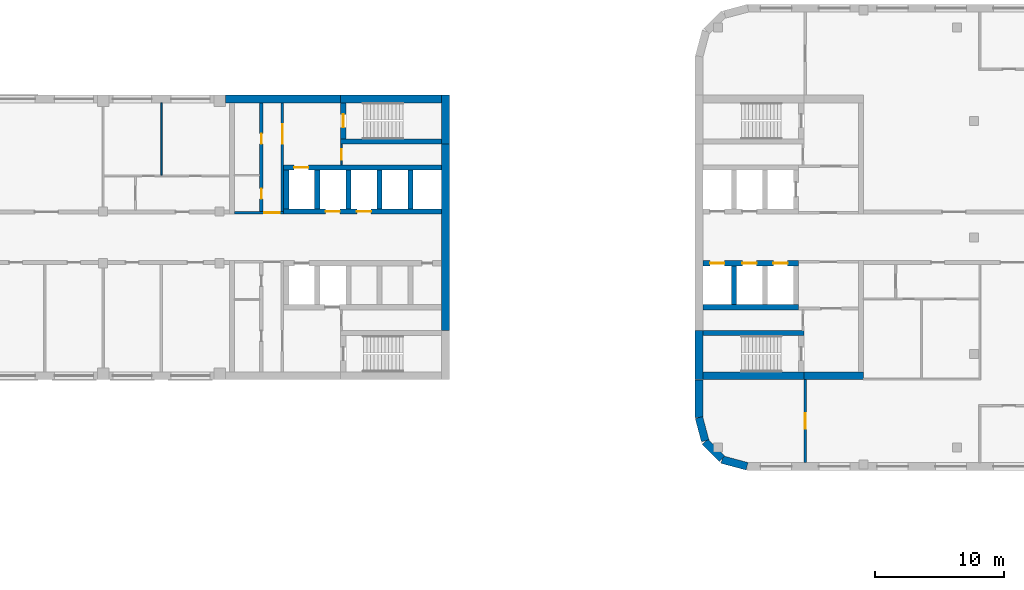
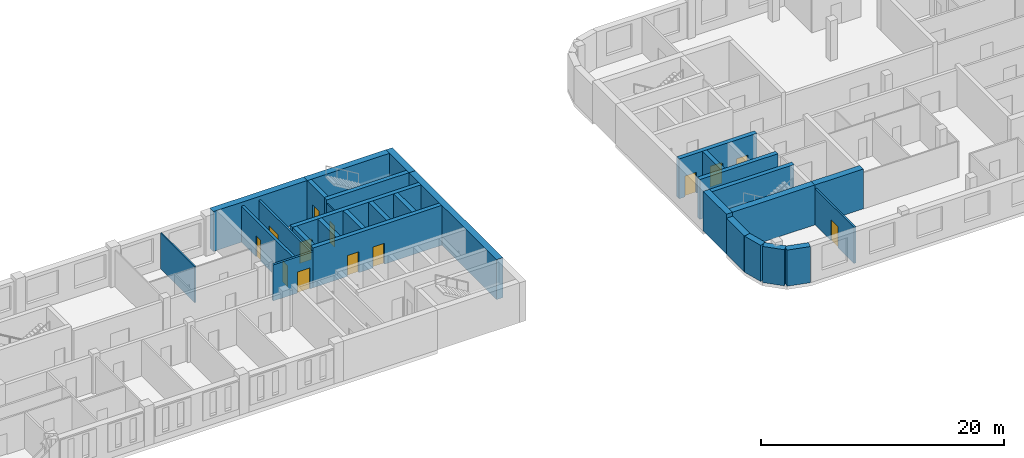
# One storey, part 6 of 12: 30 walls, 13 doors, 13 openings.
"""IFC4 building model written with IfcOpenShell, lengths in metres."""

import ifcopenshell
import ifcopenshell.guid

model = None  # the IFC model being written
_history = None  # IfcOwnerHistory: only IFC2X3 demands one
_inside = {}  # id of a spatial element -> (the spatial element, [elements in it])
_under = {}  # id of a project, library or spatial element -> (it, [spatial elements below it])
_declared = {}  # id of a project -> (the project, [libraries it declares])
_typed = {}  # id of a type object -> (the type object, [elements of that type])
_made_of = {}  # id of a material, layer set ... -> (it, [elements and type objects made of it])


def new_model(schema):
    """Start an empty IFC model of exactly this schema.

    Asked for "IFC4X3", IfcOpenShell would pick the latest addendum, in which some entities
    have other attributes; the version numbers below select the first issue.
    IFC2X3 requires an IfcOwnerHistory on every rooted entity: one is made here for all.
    """
    global model, _history
    if schema == "IFC4X3":
        model = ifcopenshell.file(schema_version=(4, 3, 0, 0))
    else:
        model = ifcopenshell.file(schema=schema)
    _inside.clear()
    _under.clear()
    _declared.clear()
    _typed.clear()
    _made_of.clear()
    _history = None
    if model.schema == "IFC2X3":
        org = make("IfcOrganization", Name="unknown")
        user = make(
            "IfcPersonAndOrganization",
            ThePerson=make("IfcPerson", FamilyName="unknown"),
            TheOrganization=org,
        )
        app = make(
            "IfcApplication",
            ApplicationDeveloper=org,
            Version="unknown",
            ApplicationFullName="unknown",
            ApplicationIdentifier="unknown",
        )
        _history = make(
            "IfcOwnerHistory",
            OwningUser=user,
            OwningApplication=app,
            ChangeAction="ADDED",
            CreationDate=0,
        )
    return model


def make(cls, **values):
    """One entity of the class cls with the attributes given. An attribute that is None is left unset."""
    return model.create_entity(
        cls, **{name: value for name, value in values.items() if value is not None}
    )


def rooted(cls, **values):
    """An entity with a GlobalId (a new one), such as an element, a storey or a relation."""
    return make(cls, GlobalId=ifcopenshell.guid.new(), OwnerHistory=_history, **values)


def si_unit(unit_type, name, prefix=None):
    """IfcSIUnit, for example si_unit("LENGTHUNIT", "METRE", prefix="MILLI")."""
    return make("IfcSIUnit", UnitType=unit_type, Prefix=prefix, Name=name)


def assignment(units):
    """IfcUnitAssignment: the units of a project."""
    return None if units is None else make("IfcUnitAssignment", Units=units)


def point(xyz):
    """IfcCartesianPoint."""
    return None if xyz is None else make("IfcCartesianPoint", Coordinates=xyz)


def direction(xyz):
    """IfcDirection."""
    return None if xyz is None else make("IfcDirection", DirectionRatios=xyz)


def frame(location, z_axis=None, x_axis=None):
    """IfcAxis2Placement3D, a coordinate frame: its origin and axes. An axis left out is left unset."""
    return make(
        "IfcAxis2Placement3D",
        Location=point(location),
        Axis=direction(z_axis),
        RefDirection=direction(x_axis),
    )


def frame_2d(location, x_axis=None):
    """IfcAxis2Placement2D, a coordinate frame in the plane: its origin and x axis."""
    return make(
        "IfcAxis2Placement2D", Location=point(location), RefDirection=direction(x_axis)
    )


def origin():
    """The frame at (0, 0, 0) with its axes left unset."""
    return frame((0.0, 0.0, 0.0))


def place(relative_to, where):
    """IfcLocalPlacement: puts the frame where relative to a parent placement (None: the world)."""
    return make(
        "IfcLocalPlacement", PlacementRelTo=relative_to, RelativePlacement=where
    )


def context(
    kind, dimensions, precision=None, world=None, true_north=None, identifier=None
):
    """IfcGeometricRepresentationContext, for example the 3D "Model" context."""
    return make(
        "IfcGeometricRepresentationContext",
        ContextIdentifier=identifier,
        ContextType=kind,
        CoordinateSpaceDimension=dimensions,
        Precision=precision,
        WorldCoordinateSystem=world,
        TrueNorth=true_north,
    )


def subcontext(parent, identifier, kind, view, scale=None):
    """IfcGeometricRepresentationSubContext, for example "Body" below "Model"."""
    return make(
        "IfcGeometricRepresentationSubContext",
        ContextIdentifier=identifier,
        ContextType=kind,
        ParentContext=parent,
        TargetScale=scale,
        TargetView=view,
    )


def project(units=None, contexts=None):
    """IfcProject with its units and contexts."""
    return rooted(
        "IfcProject",
        Name="project",
        RepresentationContexts=contexts,
        UnitsInContext=assignment(units),
    )


def spatial(cls, under=None, at=None, **own):
    """A site, building, storey or space (cls), placed at a placement, below another one or the project."""
    s = rooted(cls, ObjectPlacement=at, **own)
    if under is not None:
        _under.setdefault(under.id(), (under, []))[1].append(s)
    return s


def profile(cls, at=None, kind="AREA", **sizes):
    """A parametric profile (cls). Its sizes go by their IFC names, for example OverallWidth=200.0."""
    return make(cls, ProfileType=kind, Position=at, **sizes)


def rectangle(**sizes):
    """IfcRectangleProfileDef."""
    return profile("IfcRectangleProfileDef", **sizes)


def extrude(swept, where, along, depth):
    """IfcExtrudedAreaSolid: the profile swept, set in the frame where, extruded along a direction by depth."""
    return make(
        "IfcExtrudedAreaSolid",
        SweptArea=swept,
        Position=where,
        ExtrudedDirection=direction(along),
        Depth=depth,
    )


def shape(context_of_items, identifier, shape_type, items):
    """IfcShapeRepresentation: the items that make up one representation, for example the "Body"."""
    return make(
        "IfcShapeRepresentation",
        ContextOfItems=context_of_items,
        RepresentationIdentifier=identifier,
        RepresentationType=shape_type,
        Items=items,
    )


def material(Name=None, Category=None):
    """IfcMaterial."""
    return make("IfcMaterial", Name=Name, Category=Category)


def layer(
    of_material, thickness, ventilated=None, Name=None, Category=None, Priority=None
):
    """IfcMaterialLayer: one layer of a wall or slab, of a material (None: an air gap)."""
    return make(
        "IfcMaterialLayer",
        Material=of_material,
        LayerThickness=thickness,
        IsVentilated=ventilated,
        Name=Name,
        Category=Category,
        Priority=Priority,
    )


def layer_set(layers, Name=None):
    """IfcMaterialLayerSet."""
    return make("IfcMaterialLayerSet", MaterialLayers=layers, LayerSetName=Name)


def made_of(thing, what):
    """Note that an element or type object is made of a material, layer set ...; save() writes the relation."""
    if what is not None:
        _made_of.setdefault(what.id(), (what, []))[1].append(thing)
    return thing


def type_object(cls, material=None, **own):
    """A type object (cls), such as IfcWallType, which elements share."""
    return made_of(rooted(cls, **own), material)


def element(
    cls,
    number,
    at=None,
    inside=None,
    cuts=None,
    type_object=None,
    material=None,
    context=None,
    identifier="Body",
    shape_type=None,
    held_by="IfcProductDefinitionShape",
    body=None,
    shapes=None,
    **own,
):
    """One element of the class cls, such as IfcWall. Its Tag is "e" and its number.

    at: its placement. inside: the storey or other place that contains it. cuts: it is an
    opening in that element (IfcRelVoidsElement). A single representation is given by context,
    identifier, shape_type and body (its items); several are given by shapes. held_by: the class
    of the entity that holds the representations. save() writes the other relations.
    """
    e = rooted(cls, Tag="e%d" % number, ObjectPlacement=at, **own)
    if body is not None:
        shapes = [shape(context, identifier, shape_type, body)]
    if shapes is not None:
        e.Representation = make(held_by, Representations=shapes)
    if inside is not None:
        _inside.setdefault(inside.id(), (inside, []))[1].append(e)
    if cuts is not None:
        rooted(
            "IfcRelVoidsElement", RelatingBuildingElement=cuts, RelatedOpeningElement=e
        )
    if type_object is not None:
        _typed.setdefault(type_object.id(), (type_object, []))[1].append(e)
    return made_of(e, material)


def fill(opening, filler):
    """IfcRelFillsElement: the door or window that sits in an opening."""
    return rooted(
        "IfcRelFillsElement",
        RelatingOpeningElement=opening,
        RelatedBuildingElement=filler,
    )


def aggregate(whole, parts):
    """IfcRelAggregates: a whole, such as a stair, and the parts it consists of."""
    return rooted("IfcRelAggregates", RelatingObject=whole, RelatedObjects=parts)


def save(model, path):
    """Write the relations noted so far, then the file.

    IfcRelAggregates (storeys below a building ...), IfcRelContainedInSpatialStructure (elements
    in a storey), IfcRelDefinesByType, IfcRelAssociatesMaterial and IfcRelDeclares: one each for
    every whole, place, type object, material and project.
    """
    for whole, parts in _under.values():
        aggregate(whole, parts)
    for where, things in _inside.values():
        rooted(
            "IfcRelContainedInSpatialStructure",
            RelatedElements=things,
            RelatingStructure=where,
        )
    for kind, things in _typed.values():
        rooted("IfcRelDefinesByType", RelatedObjects=things, RelatingType=kind)
    for what, things in _made_of.values():
        rooted("IfcRelAssociatesMaterial", RelatedObjects=things, RelatingMaterial=what)
    for by, libraries in _declared.values():
        rooted("IfcRelDeclares", RelatingContext=by, RelatedDefinitions=libraries)
    model.write(path)


model = new_model("IFC4")

# Units and contexts
model_context = context("Model", 3, precision=1e-05, world=origin(), true_north=direction((0.0, 1.0)))
body_context = subcontext(model_context, "Body", "Model", "MODEL_VIEW")
ifc_project = project(units=[si_unit("LENGTHUNIT", "METRE"), si_unit("AREAUNIT", "SQUARE_METRE"), si_unit("VOLUMEUNIT", "CUBIC_METRE"), si_unit("PLANEANGLEUNIT", "RADIAN"), si_unit("MASSUNIT", "GRAM", prefix="KILO")], contexts=[model_context])

# Site, building, storey
site_placement = place(None, origin())
site = spatial("IfcSite", under=ifc_project, at=site_placement, CompositionType="ELEMENT")
building_placement = place(site_placement, origin())
building = spatial("IfcBuilding", under=site, at=building_placement, Name="Skarvind Civic Tower", CompositionType="ELEMENT")
storey_placement = place(building_placement, frame((0.0, 0.0, 71.5)))
storey = spatial("IfcBuildingStorey", under=building, at=storey_placement, Name="L16", CompositionType="ELEMENT", Elevation=71.5)

# Wall, opening, door
ifc_material_1 = material(Name="Acoustic gypsum board on steel studs", Category="steel")
ifc_layer_1 = layer(ifc_material_1, 0.175048828125)
ifc_layer_set_1 = layer_set([ifc_layer_1], Name="ACOUSTIC MEETING-ROOM PARTITION 175")
wall_type_1 = type_object("IfcWallType", Name="ACOUSTIC MEETING-ROOM PARTITION 175", PredefinedType="PARTITIONING", material=ifc_layer_set_1)
wall_1_placement = place(storey_placement, frame((135.5, 117.0, 0.0), z_axis=(0.0, 0.0, 1.0), x_axis=(0.0, -1.0, 0.0)))
wall_1 = element("IfcWall", 1, at=wall_1_placement, inside=storey, type_object=wall_type_1, Name="Partition 16.001", PredefinedType="PARTITIONING", context=body_context, shape_type="SweptSolid", body=[
    extrude(rectangle(XDim=6.39990234375, YDim=0.175048828125, at=frame_2d((3.199951171875, 0.0))), origin(), (0.0, 0.0, 1.0), 3.625),
])
opening_1_placement = place(wall_1_placement, frame((2.60009765625, 0.0, 0.0)))
opening_1 = element("IfcOpeningElement", 2, at=opening_1_placement, cuts=wall_1, Name="Opening L16-D111", PredefinedType="OPENING", context=body_context, shape_type="SweptSolid", body=[
    extrude(rectangle(XDim=1.199951171875, YDim=2.10009765625, at=frame_2d((0.60009765625, 1.050048828125))), frame((0.0, 0.097412109375, 0.0), z_axis=(0.0, -1.0, 0.0), x_axis=(1.0, 0.0, 0.0)), (0.0, 0.0, 1.0), 0.195068359375),
])
ifc_material_2 = material(Name="Timber door leaf", Category="wood")
door_type_1 = type_object("IfcDoorType", Name="DOOR 1200X2100 DOUBLE TIMBER", OperationType="NOTDEFINED", PredefinedType="DOOR", material=ifc_material_2)
door_1_placement = place(opening_1_placement, origin())
door_1 = element("IfcDoor", 3, at=door_1_placement, inside=storey, type_object=door_type_1, Name="Door L16-D111", OperationType="DOUBLE_DOOR_SINGLE_SWING", OverallHeight=2.10009765625, OverallWidth=1.199951171875, PredefinedType="DOOR", context=body_context, shape_type="SweptSolid", body=[
    extrude(rectangle(XDim=1.199951171875, YDim=2.10009765625, at=frame_2d((0.60009765625, 1.050048828125))), frame((0.0, 0.02490234375, 0.0), z_axis=(0.0, -1.0, 0.0), x_axis=(1.0, 0.0, 0.0)), (0.0, 0.0, 1.0), 0.050048828125),
])
fill(opening_1, door_1)

ifc_material_3 = material(Name="Fire-rated masonry partition", Category="masonry")
ifc_layer_2 = layer(ifc_material_3, 0.199951171875)
ifc_layer_set_2 = layer_set([ifc_layer_2], Name="Core enclosure wall 200")
wall_type_2 = type_object("IfcWallType", Name="Core enclosure wall 200", PredefinedType="PARTITIONING", material=ifc_layer_set_2)
wall_2_placement = place(storey_placement, frame((91.39990234375, 129.89990234375, 0.0), z_axis=(0.0, 0.0, 1.0), x_axis=(1.0, 0.0, 0.0)))
wall_2 = element("IfcWall", 4, at=wall_2_placement, inside=storey, type_object=wall_type_2, Name="Core wall C1", PredefinedType="PARTITIONING", context=body_context, shape_type="SweptSolid", body=[
    extrude(rectangle(XDim=3.800048828125, YDim=0.199951171875, at=frame_2d((1.89990234375, 0.0))), origin(), (0.0, 0.0, 1.0), 3.625),
])
opening_2_placement = place(wall_2_placement, frame((2.300048828125, 0.0, 0.0)))
opening_2 = element("IfcOpeningElement", 5, at=opening_2_placement, cuts=wall_2, Name="Opening D-L16-C1-11", PredefinedType="OPENING", context=body_context, shape_type="SweptSolid", body=[
    extrude(rectangle(XDim=1.199951171875, YDim=2.10009765625, at=frame_2d((0.60009765625, 1.050048828125))), frame((0.0, 0.10986328125, 0.0), z_axis=(0.0, -1.0, 0.0), x_axis=(1.0, 0.0, 0.0)), (0.0, 0.0, 1.0), 0.219970703125),
])
ifc_material_4 = material(Name="Fire-rated steel door", Category="steel")
door_type_2 = type_object("IfcDoorType", Name="Core lobby door 1200", OperationType="NOTDEFINED", PredefinedType="DOOR", material=ifc_material_4)
door_2_placement = place(opening_2_placement, origin())
door_2 = element("IfcDoor", 6, at=door_2_placement, inside=storey, type_object=door_type_2, Name="Fire door", OperationType="DOUBLE_DOOR_SINGLE_SWING", OverallHeight=2.10009765625, OverallWidth=1.199951171875, PredefinedType="DOOR", context=body_context, shape_type="SweptSolid", body=[
    extrude(rectangle(XDim=1.199951171875, YDim=2.10009765625, at=frame_2d((0.60009765625, 1.050048828125))), frame((0.0, 0.02490234375, 0.0), z_axis=(0.0, -1.0, 0.0), x_axis=(1.0, 0.0, 0.0)), (0.0, 0.0, 1.0), 0.050048828125),
])
fill(opening_2, door_2)

wall_3_placement = place(storey_placement, frame((95.10009765625, 130.0, 0.0), z_axis=(0.0, 0.0, 1.0), x_axis=(0.0, 1.0, 0.0)))
wall_3 = element("IfcWall", 7, at=wall_3_placement, inside=storey, type_object=wall_type_2, Name="Core wall C1", PredefinedType="PARTITIONING", context=body_context, shape_type="SweptSolid", body=[
    extrude(rectangle(XDim=8.39990234375, YDim=0.199951171875, at=frame_2d((4.199951171875, 0.0))), origin(), (0.0, 0.0, 1.0), 3.625),
])
opening_3_placement = place(wall_3_placement, frame((5.25, 0.0, 0.0)))
opening_3 = element("IfcOpeningElement", 8, at=opening_3_placement, cuts=wall_3, Name="Opening D-L16-C1-12", PredefinedType="OPENING", context=body_context, shape_type="SweptSolid", body=[
    extrude(rectangle(XDim=1.5, YDim=2.10009765625, at=frame_2d((0.75, 1.050048828125))), frame((0.0, 0.10986328125, 0.0), z_axis=(0.0, -1.0, 0.0), x_axis=(1.0, 0.0, 0.0)), (0.0, 0.0, 1.0), 0.219970703125),
])
door_type_3 = type_object("IfcDoorType", Name="Fire door 1500", OperationType="NOTDEFINED", PredefinedType="DOOR", material=ifc_material_4)
door_3_placement = place(opening_3_placement, origin())
door_3 = element("IfcDoor", 9, at=door_3_placement, inside=storey, type_object=door_type_3, Name="Fire door", OperationType="DOUBLE_DOOR_SINGLE_SWING", OverallHeight=2.10009765625, OverallWidth=1.5, PredefinedType="DOOR", context=body_context, shape_type="SweptSolid", body=[
    extrude(rectangle(XDim=1.5, YDim=2.10009765625, at=frame_2d((0.75, 1.050048828125))), frame((0.0, 0.02490234375, 0.0), z_axis=(0.0, -1.0, 0.0), x_axis=(1.0, 0.0, 0.0)), (0.0, 0.0, 1.0), 0.050048828125),
])
fill(opening_3, door_3)

# Wall
ifc_material_5 = material(Name="Concrete C80", Category="concrete")
ifc_layer_3 = layer(ifc_material_5, 0.39990234375)
ifc_layer_set_3 = layer_set([ifc_layer_3], Name="Core wall 400 C80")
wall_type_3 = type_object("IfcWallType", Name="Core wall 400 C80", PredefinedType="SHEAR", material=ifc_layer_set_3)
wall_4_placement = place(storey_placement, frame((107.39990234375, 135.39990234375, 0.0), z_axis=(0.0, 0.0, 1.0), x_axis=(-1.0, 0.0, 0.0)))
element("IfcWall", 10, at=wall_4_placement, inside=storey, type_object=wall_type_3, Name="Core wall C1 south stair inner L16", PredefinedType="SHEAR", context=body_context, shape_type="SweptSolid", body=[
    extrude(rectangle(XDim=7.7998046875, YDim=0.39990234375, at=frame_2d((3.89990234375, 0.0))), origin(), (0.0, 0.0, 1.0), 4.0),
])

# Wall, opening, door
wall_5_placement = place(storey_placement, frame((99.800048828125, 138.39990234375, 0.0), z_axis=(0.0, 0.0, 1.0), x_axis=(0.0, -1.0, 0.0)))
wall_5 = element("IfcWall", 11, at=wall_5_placement, inside=storey, type_object=wall_type_3, Name="Core wall C1 south stair end L16", PredefinedType="SHEAR", context=body_context, shape_type="SweptSolid", body=[
    extrude(rectangle(XDim=2.7998046875, YDim=0.39990234375, at=frame_2d((1.39990234375, 0.0))), origin(), (0.0, 0.0, 1.0), 4.0),
])
opening_4_placement = place(wall_5_placement, frame((0.89990234375, 0.0, 0.0)))
opening_4 = element("IfcOpeningElement", 12, at=opening_4_placement, cuts=wall_5, Name="Opening D-L16-C1-13", PredefinedType="OPENING", context=body_context, shape_type="SweptSolid", body=[
    extrude(rectangle(XDim=1.0, YDim=2.10009765625, at=frame_2d((0.5, 1.050048828125))), frame((0.0, 0.2099609375, 0.0), z_axis=(0.0, -1.0, 0.0), x_axis=(1.0, 0.0, 0.0)), (0.0, 0.0, 1.0), 0.419921875),
])
door_type_4 = type_object("IfcDoorType", Name="Fire door 1000", OperationType="NOTDEFINED", PredefinedType="DOOR", material=ifc_material_4)
door_4_placement = place(opening_4_placement, origin())
door_4 = element("IfcDoor", 13, at=door_4_placement, inside=storey, type_object=door_type_4, Name="Fire door", OperationType="SINGLE_SWING_RIGHT", OverallHeight=2.10009765625, OverallWidth=1.0, PredefinedType="DOOR", context=body_context, shape_type="SweptSolid", body=[
    extrude(rectangle(XDim=1.0, YDim=2.10009765625, at=frame_2d((0.5, 1.050048828125))), frame((0.0, 0.02490234375, 0.0), z_axis=(0.0, -1.0, 0.0), x_axis=(1.0, 0.0, 0.0)), (0.0, 0.0, 1.0), 0.050048828125),
])
fill(opening_4, door_4)

# Wall, openings, doors
wall_6_placement = place(storey_placement, frame((107.39990234375, 130.0, 0.0), z_axis=(0.0, 0.0, 1.0), x_axis=(-1.0, 0.0, 0.0)))
wall_6 = element("IfcWall", 14, at=wall_6_placement, inside=storey, type_object=wall_type_3, Name="Core wall C1 south lift row front L16", PredefinedType="SHEAR", context=body_context, shape_type="SweptSolid", body=[
    extrude(rectangle(XDim=12.199951171875, YDim=0.39990234375, at=frame_2d((6.10009765625, 0.0))), origin(), (0.0, 0.0, 1.0), 4.0),
])
opening_5_placement = place(wall_6_placement, frame((5.449951171875, 0.0, 0.0)))
opening_5 = element("IfcOpeningElement", 15, at=opening_5_placement, cuts=wall_6, Name="Opening LD18108", PredefinedType="OPENING", context=body_context, shape_type="SweptSolid", body=[
    extrude(rectangle(XDim=1.10009765625, YDim=2.10009765625, at=frame_2d((0.550048828125, 1.050048828125))), frame((0.0, 0.2099609375, 0.0), z_axis=(0.0, -1.0, 0.0), x_axis=(1.0, 0.0, 0.0)), (0.0, 0.0, 1.0), 0.419921875),
])
opening_6_placement = place(wall_6_placement, frame((7.85009765625, 0.0, 0.0)))
opening_6 = element("IfcOpeningElement", 16, at=opening_6_placement, cuts=wall_6, Name="Opening LD18109", PredefinedType="OPENING", context=body_context, shape_type="SweptSolid", body=[
    extrude(rectangle(XDim=1.10009765625, YDim=2.10009765625, at=frame_2d((0.550048828125, 1.050048828125))), frame((0.0, 0.2099609375, 0.0), z_axis=(0.0, -1.0, 0.0), x_axis=(1.0, 0.0, 0.0)), (0.0, 0.0, 1.0), 0.419921875),
])
ifc_material_6 = material(Name="Stainless steel landing door", Category="steel")
door_type_5 = type_object("IfcDoorType", Name="Lift landing door 1100", OperationType="DOUBLE_DOOR_SLIDING", PredefinedType="DOOR", material=ifc_material_6)
door_5_placement = place(opening_5_placement, origin())
door_5 = element("IfcDoor", 17, at=door_5_placement, inside=storey, type_object=door_type_5, Name="Lift landing door", OperationType="DOUBLE_DOOR_SLIDING", OverallHeight=2.10009765625, OverallWidth=1.10009765625, PredefinedType="DOOR", context=body_context, shape_type="SweptSolid", body=[
    extrude(rectangle(XDim=1.10009765625, YDim=2.10009765625, at=frame_2d((0.550048828125, 1.050048828125))), frame((0.0, 0.02490234375, 0.0), z_axis=(0.0, -1.0, 0.0), x_axis=(1.0, 0.0, 0.0)), (0.0, 0.0, 1.0), 0.050048828125),
])
fill(opening_5, door_5)
door_6_placement = place(opening_6_placement, origin())
door_6 = element("IfcDoor", 18, at=door_6_placement, inside=storey, type_object=door_type_5, Name="Lift landing door", OperationType="DOUBLE_DOOR_SLIDING", OverallHeight=2.10009765625, OverallWidth=1.10009765625, PredefinedType="DOOR", context=body_context, shape_type="SweptSolid", body=[
    extrude(rectangle(XDim=1.10009765625, YDim=2.10009765625, at=frame_2d((0.550048828125, 1.050048828125))), frame((0.0, 0.02490234375, 0.0), z_axis=(0.0, -1.0, 0.0), x_axis=(1.0, 0.0, 0.0)), (0.0, 0.0, 1.0), 0.050048828125),
])
fill(opening_6, door_6)

# Wall, opening, door
wall_7_placement = place(storey_placement, frame((107.39990234375, 133.39990234375, 0.0), z_axis=(0.0, 0.0, 1.0), x_axis=(-1.0, 0.0, 0.0)))
wall_7 = element("IfcWall", 19, at=wall_7_placement, inside=storey, type_object=wall_type_3, Name="Core wall C1 south lift row back L16", PredefinedType="SHEAR", context=body_context, shape_type="SweptSolid", body=[
    extrude(rectangle(XDim=12.199951171875, YDim=0.39990234375, at=frame_2d((6.10009765625, 0.0))), origin(), (0.0, 0.0, 1.0), 4.0),
])
opening_7_placement = place(wall_7_placement, frame((10.300048828125, 0.0, 0.0)))
opening_7 = element("IfcOpeningElement", 20, at=opening_7_placement, cuts=wall_7, Name="Opening LD18110", PredefinedType="OPENING", context=body_context, shape_type="SweptSolid", body=[
    extrude(rectangle(XDim=1.10009765625, YDim=2.10009765625, at=frame_2d((0.550048828125, 1.050048828125))), frame((0.0, 0.2099609375, 0.0), z_axis=(0.0, -1.0, 0.0), x_axis=(1.0, 0.0, 0.0)), (0.0, 0.0, 1.0), 0.419921875),
])
door_7_placement = place(opening_7_placement, origin())
door_7 = element("IfcDoor", 21, at=door_7_placement, inside=storey, type_object=door_type_5, Name="Lift landing door", OperationType="DOUBLE_DOOR_SLIDING", OverallHeight=2.10009765625, OverallWidth=1.10009765625, PredefinedType="DOOR", context=body_context, shape_type="SweptSolid", body=[
    extrude(rectangle(XDim=1.10009765625, YDim=2.10009765625, at=frame_2d((0.550048828125, 1.050048828125))), frame((0.0, 0.02490234375, 0.0), z_axis=(0.0, -1.0, 0.0), x_axis=(1.0, 0.0, 0.0)), (0.0, 0.0, 1.0), 0.050048828125),
])
fill(opening_7, door_7)

# Walls
for number, where, z_axis, x_axis, name in (
    (22, (105.0, 133.199951171875, 0.0), (0.0, 0.0, 1.0), (0.0, -1.0, 0.0), "Core wall C1 south lift row division 1 L16"),
    (23, (102.60009765625, 133.199951171875, 0.0), (0.0, 0.0, 1.0), (0.0, -1.0, 0.0), "Core wall C1 south lift row division 2 L16"),
    (24, (100.199951171875, 133.199951171875, 0.0), (0.0, 0.0, 1.0), (0.0, -1.0, 0.0), "Core wall C1 south lift row division 3 L16"),
    (25, (97.800048828125, 133.199951171875, 0.0), (0.0, 0.0, 1.0), (0.0, -1.0, 0.0), "Core wall C1 south lift row division 4 L16"),
    (26, (95.39990234375, 133.199951171875, 0.0), (0.0, 0.0, 1.0), (0.0, -1.0, 0.0), "Core wall C1 south lift row division 5 L16"),
):
    element("IfcWall", number, at=place(storey_placement, frame(where, z_axis=z_axis, x_axis=x_axis)), inside=storey, type_object=wall_type_3, Name=name, PredefinedType="SHEAR", context=body_context, shape_type="SweptSolid", body=[
        extrude(rectangle(XDim=3.0, YDim=0.39990234375, at=frame_2d((1.5, 0.0))), origin(), (0.0, 0.0, 1.0), 4.0),
    ])
wall_8_placement = place(storey_placement, frame((127.60009765625, 120.60009765625, 0.0), z_axis=(0.0, 0.0, 1.0), x_axis=(1.0, 0.0, 0.0)))
element("IfcWall", 27, at=wall_8_placement, inside=storey, type_object=wall_type_3, Name="Core wall CA south stair inner L16", PredefinedType="SHEAR", context=body_context, shape_type="SweptSolid", body=[
    extrude(rectangle(XDim=7.7998046875, YDim=0.39990234375, at=frame_2d((3.89990234375, 0.0))), origin(), (0.0, 0.0, 1.0), 4.0),
])

# Wall, openings, doors
wall_9_placement = place(storey_placement, frame((127.60009765625, 126.0, 0.0), z_axis=(0.0, 0.0, 1.0), x_axis=(1.0, 0.0, 0.0)))
wall_9 = element("IfcWall", 28, at=wall_9_placement, inside=storey, type_object=wall_type_3, Name="Core wall CA south lift row front L16", PredefinedType="SHEAR", context=body_context, shape_type="SweptSolid", body=[
    extrude(rectangle(XDim=7.39990234375, YDim=0.39990234375, at=frame_2d((3.699951171875, 0.0))), origin(), (0.0, 0.0, 1.0), 4.0),
])
opening_8_placement = place(wall_9_placement, frame((0.550048828125, 0.0, 0.0)))
opening_8 = element("IfcOpeningElement", 29, at=opening_8_placement, cuts=wall_9, Name="Opening LD18304", PredefinedType="OPENING", context=body_context, shape_type="SweptSolid", body=[
    extrude(rectangle(XDim=1.10009765625, YDim=2.10009765625, at=frame_2d((0.550048828125, 1.050048828125))), frame((0.0, 0.2099609375, 0.0), z_axis=(0.0, -1.0, 0.0), x_axis=(1.0, 0.0, 0.0)), (0.0, 0.0, 1.0), 0.419921875),
])
opening_9_placement = place(wall_9_placement, frame((3.050048828125, 0.0, 0.0)))
opening_9 = element("IfcOpeningElement", 30, at=opening_9_placement, cuts=wall_9, Name="Opening LD18305", PredefinedType="OPENING", context=body_context, shape_type="SweptSolid", body=[
    extrude(rectangle(XDim=1.10009765625, YDim=2.10009765625, at=frame_2d((0.550048828125, 1.050048828125))), frame((0.0, 0.2099609375, 0.0), z_axis=(0.0, -1.0, 0.0), x_axis=(1.0, 0.0, 0.0)), (0.0, 0.0, 1.0), 0.419921875),
])
opening_10_placement = place(wall_9_placement, frame((5.449951171875, 0.0, 0.0)))
opening_10 = element("IfcOpeningElement", 31, at=opening_10_placement, cuts=wall_9, Name="Opening LD18306", PredefinedType="OPENING", context=body_context, shape_type="SweptSolid", body=[
    extrude(rectangle(XDim=1.10009765625, YDim=2.10009765625, at=frame_2d((0.550048828125, 1.050048828125))), frame((0.0, 0.2099609375, 0.0), z_axis=(0.0, -1.0, 0.0), x_axis=(1.0, 0.0, 0.0)), (0.0, 0.0, 1.0), 0.419921875),
])
door_8_placement = place(opening_8_placement, origin())
door_8 = element("IfcDoor", 32, at=door_8_placement, inside=storey, type_object=door_type_5, Name="Lift landing door", OperationType="DOUBLE_DOOR_SLIDING", OverallHeight=2.10009765625, OverallWidth=1.10009765625, PredefinedType="DOOR", context=body_context, shape_type="SweptSolid", body=[
    extrude(rectangle(XDim=1.10009765625, YDim=2.10009765625, at=frame_2d((0.550048828125, 1.050048828125))), frame((0.0, 0.02490234375, 0.0), z_axis=(0.0, -1.0, 0.0), x_axis=(1.0, 0.0, 0.0)), (0.0, 0.0, 1.0), 0.050048828125),
])
fill(opening_8, door_8)
door_9_placement = place(opening_9_placement, origin())
door_9 = element("IfcDoor", 33, at=door_9_placement, inside=storey, type_object=door_type_5, Name="Lift landing door", OperationType="DOUBLE_DOOR_SLIDING", OverallHeight=2.10009765625, OverallWidth=1.10009765625, PredefinedType="DOOR", context=body_context, shape_type="SweptSolid", body=[
    extrude(rectangle(XDim=1.10009765625, YDim=2.10009765625, at=frame_2d((0.550048828125, 1.050048828125))), frame((0.0, 0.02490234375, 0.0), z_axis=(0.0, -1.0, 0.0), x_axis=(1.0, 0.0, 0.0)), (0.0, 0.0, 1.0), 0.050048828125),
])
fill(opening_9, door_9)
door_10_placement = place(opening_10_placement, origin())
door_10 = element("IfcDoor", 34, at=door_10_placement, inside=storey, type_object=door_type_5, Name="Lift landing door", OperationType="DOUBLE_DOOR_SLIDING", OverallHeight=2.10009765625, OverallWidth=1.10009765625, PredefinedType="DOOR", context=body_context, shape_type="SweptSolid", body=[
    extrude(rectangle(XDim=1.10009765625, YDim=2.10009765625, at=frame_2d((0.550048828125, 1.050048828125))), frame((0.0, 0.02490234375, 0.0), z_axis=(0.0, -1.0, 0.0), x_axis=(1.0, 0.0, 0.0)), (0.0, 0.0, 1.0), 0.050048828125),
])
fill(opening_10, door_10)

# Walls
wall_10_placement = place(storey_placement, frame((127.60009765625, 122.60009765625, 0.0), z_axis=(0.0, 0.0, 1.0), x_axis=(1.0, 0.0, 0.0)))
element("IfcWall", 35, at=wall_10_placement, inside=storey, type_object=wall_type_3, Name="Core wall CA south lift row back L16", PredefinedType="SHEAR", context=body_context, shape_type="SweptSolid", body=[
    extrude(rectangle(XDim=7.39990234375, YDim=0.39990234375, at=frame_2d((3.699951171875, 0.0))), origin(), (0.0, 0.0, 1.0), 4.0),
])
wall_11_placement = place(storey_placement, frame((130.0, 122.800048828125, 0.0), z_axis=(0.0, 0.0, 1.0), x_axis=(0.0, 1.0, 0.0)))
element("IfcWall", 36, at=wall_11_placement, inside=storey, type_object=wall_type_3, Name="Core wall CA south lift row division 1 L16", PredefinedType="SHEAR", context=body_context, shape_type="SweptSolid", body=[
    extrude(rectangle(XDim=3.0, YDim=0.39990234375, at=frame_2d((1.5, 0.0))), origin(), (0.0, 0.0, 1.0), 4.0),
])
ifc_layer_4 = layer(ifc_material_5, 0.60009765625)
ifc_layer_set_4 = layer_set([ifc_layer_4], Name="Core wall 600 C80")
wall_type_4 = type_object("IfcWallType", Name="Core wall 600 C80", PredefinedType="SHEAR", material=ifc_layer_set_4)
wall_12_placement = place(storey_placement, frame((107.699951171875, 139.0, 0.0), z_axis=(0.0, 0.0, 1.0), x_axis=(0.0, -1.0, 0.0)))
element("IfcWall", 37, at=wall_12_placement, inside=storey, type_object=wall_type_4, Name="Core wall C1 tip at the south stair L16", PredefinedType="SHEAR", context=body_context, shape_type="SweptSolid", body=[
    extrude(rectangle(XDim=3.800048828125, YDim=0.60009765625, at=frame_2d((1.89990234375, 0.0))), origin(), (0.0, 0.0, 1.0), 4.0),
])
wall_13_placement = place(storey_placement, frame((107.699951171875, 135.199951171875, 0.0), z_axis=(0.0, 0.0, 1.0), x_axis=(0.0, -1.0, 0.0)))
element("IfcWall", 38, at=wall_13_placement, inside=storey, type_object=wall_type_4, Name="Core wall C1 tip between the stairs L16", PredefinedType="SHEAR", context=body_context, shape_type="SweptSolid", body=[
    extrude(rectangle(XDim=14.39990234375, YDim=0.60009765625, at=frame_2d((7.199951171875, 0.0))), origin(), (0.0, 0.0, 1.0), 4.0),
])
wall_14_placement = place(storey_placement, frame((107.39990234375, 138.699951171875, 0.0), z_axis=(0.0, 0.0, 1.0), x_axis=(-1.0, 0.0, 0.0)))
element("IfcWall", 39, at=wall_14_placement, inside=storey, type_object=wall_type_4, Name="Core wall C1 south side at the stair L16", PredefinedType="SHEAR", context=body_context, shape_type="SweptSolid", body=[
    extrude(rectangle(XDim=7.7998046875, YDim=0.60009765625, at=frame_2d((3.89990234375, 0.0))), origin(), (0.0, 0.0, 1.0), 4.0),
])
wall_15_placement = place(storey_placement, frame((99.60009765625, 138.699951171875, 0.0), z_axis=(0.0, 0.0, 1.0), x_axis=(-1.0, 0.0, 0.0)))
element("IfcWall", 40, at=wall_15_placement, inside=storey, type_object=wall_type_4, Name="Core wall C1 south side L16", PredefinedType="SHEAR", context=body_context, shape_type="SweptSolid", body=[
    extrude(rectangle(XDim=8.900146484375, YDim=0.60009765625, at=frame_2d((4.4501953125, 0.0))), origin(), (0.0, 0.0, 1.0), 4.0),
])
wall_16_placement = place(storey_placement, frame((127.300048828125, 117.0, 0.0), z_axis=(0.0, 0.0, 1.0), x_axis=(0.0, 1.0, 0.0)))
element("IfcWall", 41, at=wall_16_placement, inside=storey, type_object=wall_type_4, Name="Core wall CA tip at the south stair L16", PredefinedType="SHEAR", context=body_context, shape_type="SweptSolid", body=[
    extrude(rectangle(XDim=3.800048828125, YDim=0.60009765625, at=frame_2d((1.89990234375, 0.0))), origin(), (0.0, 0.0, 1.0), 4.0),
])
wall_17_placement = place(storey_placement, frame((127.60009765625, 117.300048828125, 0.0), z_axis=(0.0, 0.0, 1.0), x_axis=(1.0, 0.0, 0.0)))
element("IfcWall", 42, at=wall_17_placement, inside=storey, type_object=wall_type_4, Name="Core wall CA south side at the stair L16", PredefinedType="SHEAR", context=body_context, shape_type="SweptSolid", body=[
    extrude(rectangle(XDim=7.7998046875, YDim=0.60009765625, at=frame_2d((3.89990234375, 0.0))), origin(), (0.0, 0.0, 1.0), 4.0),
])
wall_18_placement = place(storey_placement, frame((135.39990234375, 117.300048828125, 0.0), z_axis=(0.0, 0.0, 1.0), x_axis=(1.0, 0.0, 0.0)))
element("IfcWall", 43, at=wall_18_placement, inside=storey, type_object=wall_type_4, Name="Core wall CA south side L16", PredefinedType="SHEAR", context=body_context, shape_type="SweptSolid", body=[
    extrude(rectangle(XDim=4.60009765625, YDim=0.60009765625, at=frame_2d((2.300048828125, 0.0))), origin(), (0.0, 0.0, 1.0), 4.0),
])

# Wall, opening, door
ifc_layer_5 = layer(ifc_material_3, 0.125)
ifc_layer_set_5 = layer_set([ifc_layer_5], Name="Riser wall 125")
wall_type_5 = type_object("IfcWallType", Name="Riser wall 125", PredefinedType="PARTITIONING", material=ifc_layer_set_5)
wall_19_placement = place(storey_placement, frame((99.66259765625, 133.60009765625, 0.0), z_axis=(0.0, 0.0, 1.0), x_axis=(0.0, 1.0, 0.0)))
wall_19 = element("IfcWall", 44, at=wall_19_placement, inside=storey, type_object=wall_type_5, Name="Core wall C1", PredefinedType="PARTITIONING", context=body_context, shape_type="SweptSolid", body=[
    extrude(rectangle(XDim=1.599853515625, YDim=0.125, at=frame_2d((0.7998046875, 0.0))), origin(), (0.0, 0.0, 1.0), 3.625),
])
opening_11_placement = place(wall_19_placement, frame((0.39990234375, 0.0, 0.0)))
opening_11 = element("IfcOpeningElement", 45, at=opening_11_placement, cuts=wall_19, Name="Opening D-L16-C1-14", PredefinedType="OPENING", context=body_context, shape_type="SweptSolid", body=[
    extrude(rectangle(XDim=0.800048828125, YDim=2.10009765625, at=frame_2d((0.39990234375, 1.050048828125))), frame((0.0, 0.072509765625, 0.0), z_axis=(0.0, -1.0, 0.0), x_axis=(1.0, 0.0, 0.0)), (0.0, 0.0, 1.0), 0.14501953125),
])
door_type_6 = type_object("IfcDoorType", Name="Core riser door 800", OperationType="NOTDEFINED", PredefinedType="DOOR", material=ifc_material_4)
door_11_placement = place(opening_11_placement, origin())
door_11 = element("IfcDoor", 46, at=door_11_placement, inside=storey, type_object=door_type_6, Name="Riser door", OperationType="SINGLE_SWING_LEFT", OverallHeight=2.10009765625, OverallWidth=0.800048828125, PredefinedType="DOOR", context=body_context, shape_type="SweptSolid", body=[
    extrude(rectangle(XDim=0.800048828125, YDim=2.10009765625, at=frame_2d((0.39990234375, 1.050048828125))), frame((0.0, 0.02490234375, 0.0), z_axis=(0.0, -1.0, 0.0), x_axis=(1.0, 0.0, 0.0)), (0.0, 0.0, 1.0), 0.050048828125),
])
fill(opening_11, door_11)

# Wall, openings, doors
ifc_layer_6 = layer(ifc_material_3, 0.25)
ifc_layer_set_6 = layer_set([ifc_layer_6], Name="Service block wall 250")
wall_type_6 = type_object("IfcWallType", Name="Service block wall 250", PredefinedType="PARTITIONING", material=ifc_layer_set_6)
wall_20_placement = place(storey_placement, frame((93.47509765625, 130.0, 0.0), z_axis=(0.0, 0.0, 1.0), x_axis=(0.0, 1.0, 0.0)))
wall_20 = element("IfcWall", 47, at=wall_20_placement, inside=storey, type_object=wall_type_6, Name="Core wall C1", PredefinedType="PARTITIONING", context=body_context, shape_type="SweptSolid", body=[
    extrude(rectangle(XDim=8.39990234375, YDim=0.25, at=frame_2d((4.199951171875, 0.0))), origin(), (0.0, 0.0, 1.0), 3.625),
])
opening_12_placement = place(wall_20_placement, frame((0.97509765625, 0.0, 0.0)))
opening_12 = element("IfcOpeningElement", 48, at=opening_12_placement, cuts=wall_20, Name="Opening D-L16-C1-15", PredefinedType="OPENING", context=body_context, shape_type="SweptSolid", body=[
    extrude(rectangle(XDim=0.800048828125, YDim=2.10009765625, at=frame_2d((0.39990234375, 1.050048828125))), frame((0.0, 0.135009765625, 0.0), z_axis=(0.0, -1.0, 0.0), x_axis=(1.0, 0.0, 0.0)), (0.0, 0.0, 1.0), 0.27001953125),
])
opening_13_placement = place(wall_20_placement, frame((5.22509765625, 0.0, 0.0)))
opening_13 = element("IfcOpeningElement", 49, at=opening_13_placement, cuts=wall_20, Name="Opening D-L16-C1-16", PredefinedType="OPENING", context=body_context, shape_type="SweptSolid", body=[
    extrude(rectangle(XDim=0.800048828125, YDim=2.10009765625, at=frame_2d((0.39990234375, 1.050048828125))), frame((0.0, 0.135009765625, 0.0), z_axis=(0.0, -1.0, 0.0), x_axis=(1.0, 0.0, 0.0)), (0.0, 0.0, 1.0), 0.27001953125),
])
door_12_placement = place(opening_12_placement, origin())
door_12 = element("IfcDoor", 50, at=door_12_placement, inside=storey, type_object=door_type_6, Name="Riser door", OperationType="SINGLE_SWING_RIGHT", OverallHeight=2.10009765625, OverallWidth=0.800048828125, PredefinedType="DOOR", context=body_context, shape_type="SweptSolid", body=[
    extrude(rectangle(XDim=0.800048828125, YDim=2.10009765625, at=frame_2d((0.39990234375, 1.050048828125))), frame((0.0, 0.02490234375, 0.0), z_axis=(0.0, -1.0, 0.0), x_axis=(1.0, 0.0, 0.0)), (0.0, 0.0, 1.0), 0.050048828125),
])
fill(opening_12, door_12)
door_13_placement = place(opening_13_placement, origin())
door_13 = element("IfcDoor", 51, at=door_13_placement, inside=storey, type_object=door_type_6, Name="Riser door", OperationType="SINGLE_SWING_LEFT", OverallHeight=2.10009765625, OverallWidth=0.800048828125, PredefinedType="DOOR", context=body_context, shape_type="SweptSolid", body=[
    extrude(rectangle(XDim=0.800048828125, YDim=2.10009765625, at=frame_2d((0.39990234375, 1.050048828125))), frame((0.0, 0.02490234375, 0.0), z_axis=(0.0, -1.0, 0.0), x_axis=(1.0, 0.0, 0.0)), (0.0, 0.0, 1.0), 0.050048828125),
])
fill(opening_13, door_13)

# Walls
ifc_material_7 = material(Name="Moisture-resistant gypsum board on steel studs", Category="steel")
ifc_layer_7 = layer(ifc_material_7, 0.125)
ifc_layer_set_7 = layer_set([ifc_layer_7], Name="WC PARTITION 125")
wall_type_7 = type_object("IfcWallType", Name="WC PARTITION 125", PredefinedType="PARTITIONING", material=ifc_layer_set_7)
wall_21_placement = place(storey_placement, frame((85.75, 138.39990234375, 0.0), z_axis=(0.0, 0.0, 1.0), x_axis=(0.0, -1.0, 0.0)))
element("IfcWall", 52, at=wall_21_placement, inside=storey, type_object=wall_type_7, Name="Partition 16.030", PredefinedType="PARTITIONING", context=body_context, shape_type="SweptSolid", body=[
    extrude(rectangle(XDim=5.587890625, YDim=0.125, at=frame_2d((2.7939453125, 0.0))), origin(), (0.0, 0.0, 1.0), 3.625),
])
ifc_material_8 = material(Name="Limestone masonry cladding on insulated backing", Category="masonry")
ifc_layer_8 = layer(ifc_material_8, 0.60009765625)
ifc_layer_set_8 = layer_set([ifc_layer_8], Name="WX1 STONE FACADE WALL 600")
wall_type_8 = type_object("IfcWallType", Name="WX1 STONE FACADE WALL 600", PredefinedType="SOLIDWALL", material=ifc_layer_set_8)
wall_22_placement = place(storey_placement, frame((127.300048828125, 114.070068359375, 0.0), z_axis=(0.0, 0.0, 1.0), x_axis=(0.0, 1.0, 0.0)))
element("IfcWall", 53, at=wall_22_placement, inside=storey, type_object=wall_type_8, Name="STONE FACADE WALL", PredefinedType="SOLIDWALL", context=body_context, shape_type="SweptSolid", body=[
    extrude(rectangle(XDim=2.909912109375, YDim=0.60009765625, at=frame_2d((1.455078125, 0.0))), origin(), (0.0, 0.0, 1.0), 3.625),
])
for number, where, z_axis, x_axis, name in (
    (54, (127.771240234375, 112.280517578125, 0.0), (0.0, 0.0, 1.0), (-0.258773254036, 0.965938094805, 0.0), "STONE FACADE WALL"),
    (55, (129.063720703125, 110.896484375, 0.0), (0.0, 0.0, 1.0), (-0.707106781187, 0.707106781187, 0.0), "STONE FACADE WALL"),
):
    element("IfcWall", number, at=place(storey_placement, frame(where, z_axis=z_axis, x_axis=x_axis)), inside=storey, type_object=wall_type_8, Name=name, PredefinedType="SOLIDWALL", context=body_context, shape_type="SweptSolid", body=[
        extrude(rectangle(XDim=1.860595703125, YDim=0.60009765625, at=frame_2d((0.93017578125, 0.0))), origin(), (0.0, 0.0, 1.0), 3.625),
    ])
wall_23_placement = place(storey_placement, frame((131.010009765625, 110.307861328125, 0.0), z_axis=(0.0, 0.0, 1.0), x_axis=(-0.965920269068, 0.258839784042, 0.0)))
element("IfcWall", 56, at=wall_23_placement, inside=storey, type_object=wall_type_8, Name="STONE FACADE WALL", PredefinedType="SOLIDWALL", context=body_context, shape_type="SweptSolid", body=[
    extrude(rectangle(XDim=2.00048828125, YDim=0.60009765625, at=frame_2d((1.000244140625, 0.0))), origin(), (0.0, 0.0, 1.0), 3.625),
])

save(model, "model.ifc")
